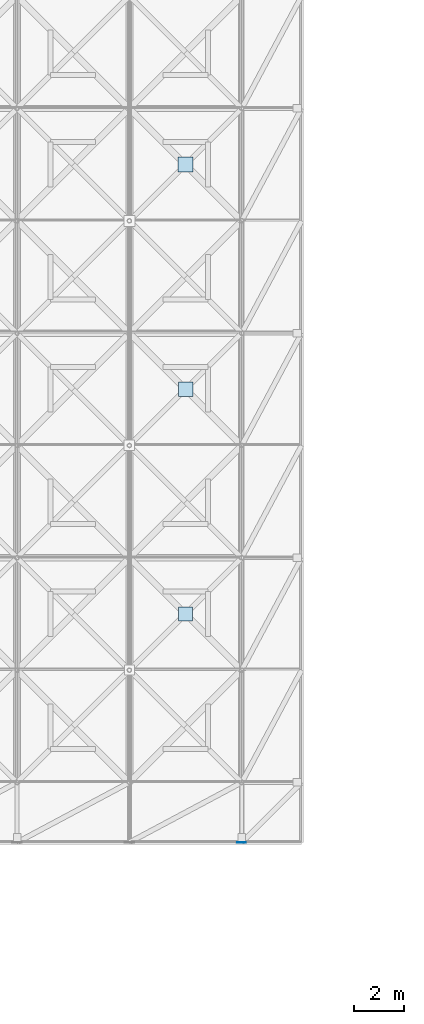
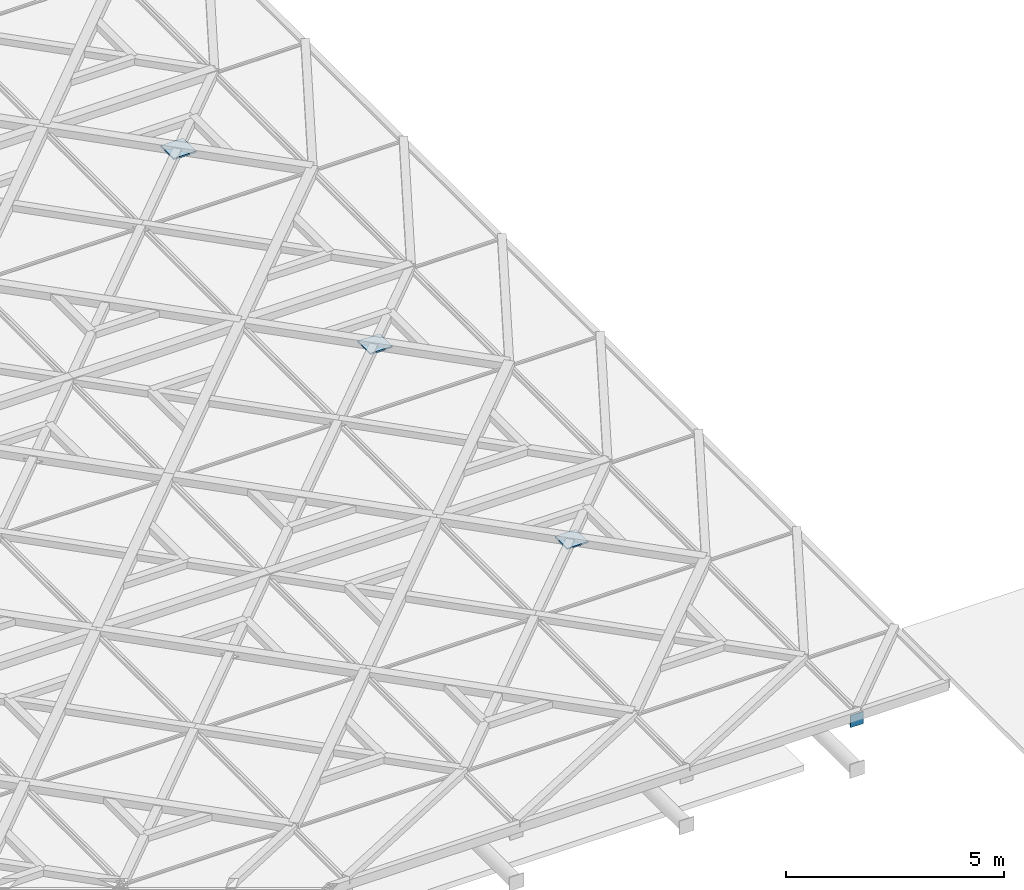
# One storey, part 69 of 80: 4 plates.
"""IFC4 building model written with IfcOpenShell, lengths in metres."""

from ifc_helpers import new_model, si_unit, direction, frame, origin, origin_2d, place, context, subcontext, project, spatial, rectangle, extrude, material, layer, layer_set, type_object, element, save


model = new_model("IFC4")

# Units and contexts
model_context = context("Model", 3, precision=1e-05, world=origin(), true_north=direction((0.0, 1.0)))
body_context = subcontext(model_context, "Body", "Model", "MODEL_VIEW")
ifc_project = project(units=[si_unit("LENGTHUNIT", "METRE"), si_unit("AREAUNIT", "SQUARE_METRE"), si_unit("VOLUMEUNIT", "CUBIC_METRE"), si_unit("PLANEANGLEUNIT", "RADIAN"), si_unit("MASSUNIT", "GRAM", prefix="KILO"), si_unit("THERMODYNAMICTEMPERATUREUNIT", "KELVIN"), si_unit("POWERUNIT", "WATT")], contexts=[model_context])

# Site, building, storey
site_placement = place(None, origin())
site = spatial("IfcSite", under=ifc_project, at=site_placement, CompositionType="ELEMENT")
building_placement = place(site_placement, origin())
building = spatial("IfcBuilding", under=site, at=building_placement, Name="Tallowbark Science Centre", CompositionType="ELEMENT")
storey_placement = place(building_placement, frame((0.0, 0.0, 25.949951171875)))
storey = spatial("IfcBuildingStorey", under=building, at=storey_placement, Name="ROOF", CompositionType="ELEMENT", Elevation=25.949951171875)

# Plates
ifc_material = material(Name="Structural Steel Grade 300PLUS (300 MPa)", Category="steel")
ifc_layer_1 = layer(ifc_material, 0.02001953125)
ifc_layer_set_1 = layer_set([ifc_layer_1], Name="Structural Steel Grade 300PLUS (300 MPa)")
plate_type_1 = type_object("IfcPlateType", Name="PLT-GUS-20B", PredefinedType="SHEET", material=ifc_layer_set_1)
plate_1_placement = place(storey_placement, frame((103.5, 2.092041015625, 0.02001953125), z_axis=(0.0, 0.0, 1.0), x_axis=(1.0, 0.0, 0.0)))
element("IfcPlate", 1, at=plate_1_placement, inside=storey, type_object=plate_type_1, Name="Truss Eave End Cap Plate S-11", PredefinedType="SHEET", context=body_context, shape_type="SweptSolid", body=[
    extrude(rectangle(XDim=0.340087890625, YDim=0.02001953125, at=origin_2d()), origin(), (0.0, 0.0, 1.0), 0.340087890625),
])
ifc_layer_2 = layer(ifc_material, 0.035888671875)
ifc_layer_set_2 = layer_set([ifc_layer_2], Name="Structural Steel Grade 300PLUS (300 MPa)")
plate_type_2 = type_object("IfcPlateType", Name="PLT-GUS-36", PredefinedType="SHEET", material=ifc_layer_set_2)
plate_2_placement = place(storey_placement, frame((101.25, 11.25, 0.43212890625), z_axis=(0.0, 0.0, 1.0), x_axis=(1.0, 0.0, 0.0)))
element("IfcPlate", 2, at=plate_2_placement, inside=storey, type_object=plate_type_2, Name="Star Primary Chord Crossing Gusset Plate TOP-70", PredefinedType="SHEET", context=body_context, shape_type="SweptSolid", body=[
    extrude(rectangle(XDim=0.56005859375, YDim=0.56005859375, at=origin_2d()), origin(), (0.0, 0.0, 1.0), 0.035888671875),
])
ifc_layer_3 = layer(ifc_material, 0.0380859375)
ifc_layer_set_3 = layer_set([ifc_layer_3], Name="Structural Steel Grade 300PLUS (300 MPa)")
plate_type_3 = type_object("IfcPlateType", Name="PLT-GUS-38", PredefinedType="SHEET", material=ifc_layer_set_3)
plate_3_placement = place(storey_placement, frame((101.25, 20.25, 0.430908203125), z_axis=(0.0, 0.0, 1.0), x_axis=(1.0, 0.0, 0.0)))
element("IfcPlate", 3, at=plate_3_placement, inside=storey, type_object=plate_type_3, Name="Star Primary Chord Crossing Gusset Plate TOP-71", PredefinedType="SHEET", context=body_context, shape_type="SweptSolid", body=[
    extrude(rectangle(XDim=0.580078125, YDim=0.580078125, at=origin_2d()), origin(), (0.0, 0.0, 1.0), 0.0380859375),
])
ifc_layer_4 = layer(ifc_material, 0.0400390625)
ifc_layer_set_4 = layer_set([ifc_layer_4], Name="Structural Steel Grade 300PLUS (300 MPa)")
plate_type_4 = type_object("IfcPlateType", Name="PLT-GUS-40", PredefinedType="SHEET", material=ifc_layer_set_4)
plate_4_placement = place(storey_placement, frame((101.25, 29.25, 0.429931640625), z_axis=(0.0, 0.0, 1.0), x_axis=(1.0, 0.0, 0.0)))
element("IfcPlate", 4, at=plate_4_placement, inside=storey, type_object=plate_type_4, Name="Star Primary Chord Crossing Gusset Plate TOP-72", PredefinedType="SHEET", context=body_context, shape_type="SweptSolid", body=[
    extrude(rectangle(XDim=0.60009765625, YDim=0.60009765625, at=origin_2d()), origin(), (0.0, 0.0, 1.0), 0.0400390625),
])

save(model, "model.ifc")
